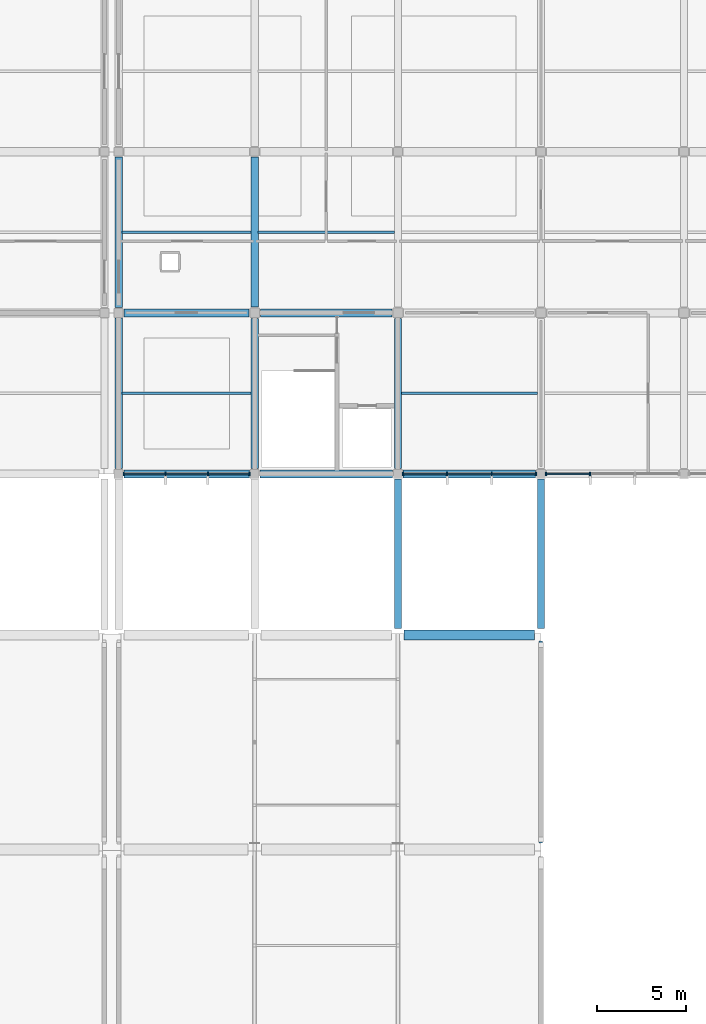
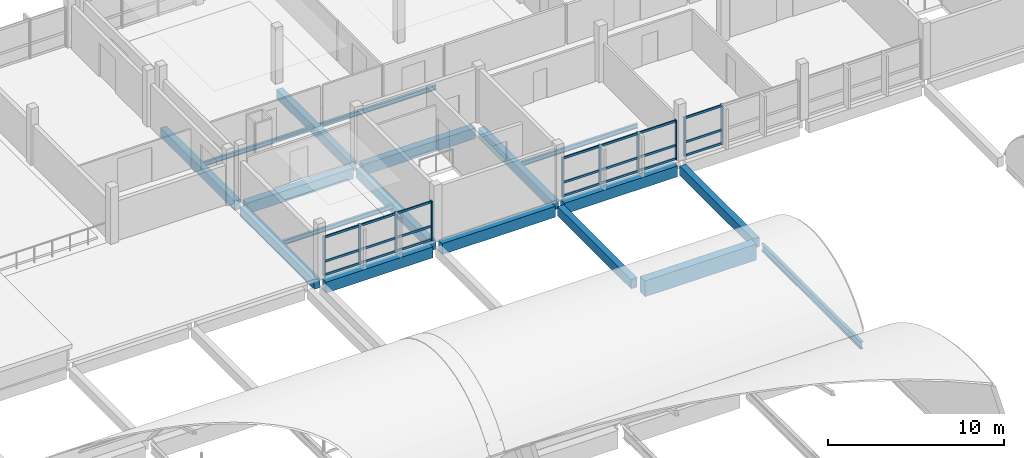
# One storey, part 20 of 57: 31 members, 18 beams, 3 elements without a shape of their own.
"""IFC4 building model written with IfcOpenShell, lengths in metres."""

from ifc_helpers import new_model, si_unit, direction, frame, origin, origin_2d, place, context, subcontext, project, spatial, rectangle, i_section, extrude, material, material_profile, profile_set, type_object, element, aggregate, save


model = new_model("IFC4")

# Units and contexts
model_context = context("Model", 3, precision=1e-05, world=origin(), true_north=direction((0.0, 1.0)))
body_context = subcontext(model_context, "Body", "Model", "MODEL_VIEW")
ifc_project = project(units=[si_unit("LENGTHUNIT", "METRE"), si_unit("AREAUNIT", "SQUARE_METRE"), si_unit("VOLUMEUNIT", "CUBIC_METRE"), si_unit("PLANEANGLEUNIT", "RADIAN"), si_unit("MASSUNIT", "GRAM", prefix="KILO"), si_unit("THERMODYNAMICTEMPERATUREUNIT", "KELVIN"), si_unit("POWERUNIT", "WATT")], contexts=[model_context])

# Site, building, storey
site_placement = place(None, origin())
site = spatial("IfcSite", under=ifc_project, at=site_placement, CompositionType="ELEMENT")
building_placement = place(site_placement, origin())
building = spatial("IfcBuilding", under=site, at=building_placement, Name="Kronsvod Quay Wholesale Market", CompositionType="ELEMENT")
storey_placement = place(building_placement, frame((0.0, 0.0, 13.199951171875)))
storey = spatial("IfcBuildingStorey", under=building, at=storey_placement, Name="L03", CompositionType="ELEMENT", Elevation=13.199951171875)

# Beams
ifc_material_1 = material(Name="Precast concrete C40/50", Category="concrete")
ifc_material_profile_1 = material_profile(ifc_material_1, rectangle(XDim=0.39990234375, YDim=0.64990234375, at=origin_2d()), Name="PCB400x650")
ifc_profile_set_1 = profile_set([ifc_material_profile_1], Name="Precast concrete C40/50")
beam_type_1 = type_object("IfcBeamType", Name="Beam_PCB400x650", PredefinedType="BEAM", material=ifc_profile_set_1)
for number, where, z_axis, x_axis, name in (
    (1, (64.39990234375, 99.300048828125, -0.635009765625), (0.0, 1.0, 0.0), (-1.0, 0.0, 0.0), "BMY-L03-644-990"),
    (2, (64.39990234375, 108.300048828125, -0.635009765625), (0.0, 1.0, 0.0), (-1.0, 0.0, 0.0), "BMY-L03-644-1080"),
):
    element("IfcBeam", number, at=place(storey_placement, frame(where, z_axis=z_axis, x_axis=x_axis)), inside=storey, type_object=beam_type_1, Name=name, PredefinedType="BEAM", context=body_context, shape_type="SweptSolid", body=[
        extrude(rectangle(XDim=0.39990234375, YDim=0.64990234375, at=origin_2d()), origin(), (0.0, 0.0, 1.0), 8.39990234375),
    ])
for number, where, z_axis, x_axis, name in (
    (3, (72.0, 99.300048828125, -0.635009765625), (0.0, 1.0, 0.0), (-1.0, 0.0, 0.0), "BMY-L03-720-990"),
    (4, (72.0, 108.324951171875, -0.635009765625), (0.0, 1.0, 0.0), (-1.0, 0.0, 0.0), "BMY-L03-720-1080"),
):
    element("IfcBeam", number, at=place(storey_placement, frame(where, z_axis=z_axis, x_axis=x_axis)), inside=storey, type_object=beam_type_1, Name=name, PredefinedType="BEAM", context=body_context, shape_type="SweptSolid", body=[
        extrude(rectangle(XDim=0.39990234375, YDim=0.64990234375, at=origin_2d()), origin(), (0.0, 0.0, 1.0), 8.375),
    ])
beam_1_placement = place(storey_placement, frame((80.0, 90.35009765625, -0.635009765625), z_axis=(0.0, 1.0, 0.0), x_axis=(-1.0, 0.0, 0.0)))
element("IfcBeam", 5, at=beam_1_placement, inside=storey, type_object=beam_type_1, Name="BMY-L03-800-900", PredefinedType="BEAM", context=body_context, shape_type="SweptSolid", body=[
    extrude(rectangle(XDim=0.39990234375, YDim=0.64990234375, at=origin_2d()), origin(), (0.0, 0.0, 1.0), 8.349853515625),
])
beam_2_placement = place(storey_placement, frame((80.0, 99.300048828125, -0.635009765625), z_axis=(0.0, 1.0, 0.0), x_axis=(-1.0, 0.0, 0.0)))
element("IfcBeam", 6, at=beam_2_placement, inside=storey, type_object=beam_type_1, Name="BMY-L03-800-990", PredefinedType="BEAM", context=body_context, shape_type="SweptSolid", body=[
    extrude(rectangle(XDim=0.39990234375, YDim=0.64990234375, at=origin_2d()), origin(), (0.0, 0.0, 1.0), 8.375),
])
beam_3_placement = place(storey_placement, frame((88.0, 90.35009765625, -0.635009765625), z_axis=(0.0, 1.0, 0.0), x_axis=(-1.0, 0.0, 0.0)))
element("IfcBeam", 7, at=beam_3_placement, inside=storey, type_object=beam_type_1, Name="BMY-L03-880-900", PredefinedType="BEAM", context=body_context, shape_type="SweptSolid", body=[
    extrude(rectangle(XDim=0.39990234375, YDim=0.64990234375, at=origin_2d()), origin(), (0.0, 0.0, 1.0), 8.349853515625),
])
ifc_material_2 = material(Name="Precast concrete C40/50", Category="concrete")
ifc_material_profile_2 = material_profile(ifc_material_2, rectangle(XDim=0.449951171875, YDim=0.75, at=origin_2d()), Name="PCB450x750")
ifc_profile_set_2 = profile_set([ifc_material_profile_2], Name="Precast concrete C40/50")
beam_type_2 = type_object("IfcBeamType", Name="Beam_PCB450x750", PredefinedType="BEAM", material=ifc_profile_set_2)
beam_4_placement = place(storey_placement, frame((64.699951171875, 99.0, -0.68505859375), z_axis=(1.0, 0.0, 0.0), x_axis=(0.0, 1.0, 0.0)))
element("IfcBeam", 8, at=beam_4_placement, inside=storey, type_object=beam_type_2, Name="BMX-L03-644-990", PredefinedType="BEAM", context=body_context, shape_type="SweptSolid", body=[
    extrude(rectangle(XDim=0.449951171875, YDim=0.75, at=origin_2d()), origin(), (0.0, 0.0, 1.0), 7.0),
])
for number, where, z_axis, x_axis, name in (
    (9, (72.300048828125, 99.0, -0.68505859375), (1.0, 0.0, 0.0), (0.0, 1.0, 0.0), "BMX-L03-720-990"),
    (10, (80.300048828125, 99.0, -0.68505859375), (1.0, 0.0, 0.0), (0.0, 1.0, 0.0), "BMX-L03-800-990"),
):
    element("IfcBeam", number, at=place(storey_placement, frame(where, z_axis=z_axis, x_axis=x_axis)), inside=storey, type_object=beam_type_2, Name=name, PredefinedType="BEAM", context=body_context, shape_type="SweptSolid", body=[
        extrude(rectangle(XDim=0.449951171875, YDim=0.75, at=origin_2d()), origin(), (0.0, 0.0, 1.0), 7.39990234375),
    ])
beam_5_placement = place(storey_placement, frame((64.699951171875, 108.0, -0.68505859375), z_axis=(1.0, 0.0, 0.0), x_axis=(0.0, 1.0, 0.0)))
element("IfcBeam", 11, at=beam_5_placement, inside=storey, type_object=beam_type_2, Name="BMX-L03-644-1080", PredefinedType="BEAM", context=body_context, shape_type="SweptSolid", body=[
    extrude(rectangle(XDim=0.449951171875, YDim=0.75, at=origin_2d()), origin(), (0.0, 0.0, 1.0), 6.97509765625),
])
beam_6_placement = place(storey_placement, frame((72.324951171875, 108.0, -0.68505859375), z_axis=(1.0, 0.0, 0.0), x_axis=(0.0, 1.0, 0.0)))
element("IfcBeam", 12, at=beam_6_placement, inside=storey, type_object=beam_type_2, Name="BMX-L03-720-1080", PredefinedType="BEAM", context=body_context, shape_type="SweptSolid", body=[
    extrude(rectangle(XDim=0.449951171875, YDim=0.75, at=origin_2d()), origin(), (0.0, 0.0, 1.0), 7.35009765625),
])
ifc_material_3 = material(Name="Precast concrete C40/50", Category="concrete")
ifc_material_profile_3 = material_profile(ifc_material_3, rectangle(XDim=0.550048828125, YDim=1.10009765625, at=origin_2d()), Name="PCVG550x1100")
ifc_profile_set_3 = profile_set([ifc_material_profile_3], Name="Precast concrete C40/50")
beam_type_3 = type_object("IfcBeamType", Name="Girder_PCVG550x1100", PredefinedType="T_BEAM", material=ifc_profile_set_3)
beam_7_placement = place(storey_placement, frame((80.35009765625, 90.0, -0.77001953125), z_axis=(1.0, 0.0, 0.0), x_axis=(0.0, 1.0, 0.0)))
element("IfcBeam", 13, at=beam_7_placement, inside=storey, type_object=beam_type_3, Name="BMX-L03-800-900", PredefinedType="T_BEAM", context=body_context, shape_type="SweptSolid", body=[
    extrude(rectangle(XDim=0.550048828125, YDim=1.10009765625, at=origin_2d()), origin(), (0.0, 0.0, 1.0), 7.2998046875),
])
ifc_material_4 = material(Name="Steel S355", Category="steel")
ifc_material_profile_4 = material_profile(ifc_material_4, i_section(OverallWidth=0.198974609375, OverallDepth=0.49609375, WebThickness=0.009033203125, FlangeThickness=0.013916015625, FilletRadius=0.02001953125, at=origin_2d()), Name="50B1")
ifc_profile_set_4 = profile_set([ifc_material_profile_4], Name="Steel S355")
beam_type_4 = type_object("IfcBeamType", Name="Girder_Steel50B1", PredefinedType="T_BEAM", material=ifc_profile_set_4)
beam_8_placement = place(storey_placement, frame((88.0, 78.375, -0.468017578125), z_axis=(0.0, 1.0, 0.0), x_axis=(-1.0, 0.0, 0.0)))
element("IfcBeam", 14, at=beam_8_placement, inside=storey, type_object=beam_type_4, Name="BMY-L03-880-780", PredefinedType="T_BEAM", context=body_context, shape_type="SweptSolid", body=[
    extrude(i_section(OverallWidth=0.198974609375, OverallDepth=0.49609375, WebThickness=0.009033203125, FlangeThickness=0.013916015625, FilletRadius=0.02001953125, at=origin_2d()), origin(), (0.0, 0.0, 1.0), 11.27490234375),
])
ifc_material_5 = material(Name="Steel S355", Category="steel")
ifc_material_profile_5 = material_profile(ifc_material_5, i_section(OverallWidth=0.14990234375, OverallDepth=0.300048828125, WebThickness=0.006591796875, FlangeThickness=0.009033203125, FilletRadius=0.012939453125, at=origin_2d()), Name="30B2")
ifc_profile_set_5 = profile_set([ifc_material_profile_5], Name="Steel S355")
beam_type_5 = type_object("IfcBeamType", Name="Joist_Steel30B2", PredefinedType="JOIST", material=ifc_profile_set_5)
for number, where, z_axis, x_axis, name in (
    (15, (64.594970703125, 103.5, -0.39990234375), (1.0, 0.0, 0.0), (0.0, 1.0, 0.0), "JSTX-L03-644-990"),
    (16, (64.594970703125, 112.5, -0.39990234375), (1.0, 0.0, 0.0), (0.0, 1.0, 0.0), "JSTX-L03-644-1080"),
):
    element("IfcBeam", number, at=place(storey_placement, frame(where, z_axis=z_axis, x_axis=x_axis)), inside=storey, type_object=beam_type_5, Name=name, PredefinedType="JOIST", context=body_context, shape_type="SweptSolid", body=[
        extrude(i_section(OverallWidth=0.14990234375, OverallDepth=0.300048828125, WebThickness=0.006591796875, FlangeThickness=0.009033203125, FilletRadius=0.012939453125, at=origin_2d()), origin(), (0.0, 0.0, 1.0), 7.2099609375),
    ])
for number, where, z_axis, x_axis, name in (
    (17, (72.195068359375, 112.5, -0.39990234375), (1.0, 0.0, 0.0), (0.0, 1.0, 0.0), "JSTX-L03-720-1080"),
    (18, (80.195068359375, 103.5, -0.39990234375), (1.0, 0.0, 0.0), (0.0, 1.0, 0.0), "JSTX-L03-800-990"),
):
    element("IfcBeam", number, at=place(storey_placement, frame(where, z_axis=z_axis, x_axis=x_axis)), inside=storey, type_object=beam_type_5, Name=name, PredefinedType="JOIST", context=body_context, shape_type="SweptSolid", body=[
        extrude(i_section(OverallWidth=0.14990234375, OverallDepth=0.300048828125, WebThickness=0.006591796875, FlangeThickness=0.009033203125, FilletRadius=0.012939453125, at=origin_2d()), origin(), (0.0, 0.0, 1.0), 7.60986328125),
    ])

# Curtain wall, members
ifc_material_6 = material(Name="Thermally broken aluminium and triple low-E glazing", Category="aluminium")
curtain_wall_type = type_object("IfcCurtainWallType", Name="CW_Harbour80x30", PredefinedType="NOTDEFINED", material=ifc_material_6)
curtain_wall_1_placement = place(storey_placement, origin())
curtain_wall_1 = element("IfcCurtainWall", 19, at=curtain_wall_1_placement, inside=storey, type_object=curtain_wall_type, Name="CWGX-L03-644-990", PredefinedType="NOTDEFINED")
ifc_material_7 = material(Name="Anodised aluminium", Category="aluminium")
ifc_material_profile_6 = material_profile(ifc_material_7, rectangle(XDim=0.074951171875, YDim=0.199951171875, at=origin_2d()), Name="ALUM75x200")
ifc_profile_set_6 = profile_set([ifc_material_profile_6], Name="Anodised aluminium")
member_type_1 = type_object("IfcMemberType", Name="Mullion_ALU75x200", PredefinedType="MULLION", material=ifc_profile_set_6)
member_1_placement = place(storey_placement, frame((64.6826171875, 99.0, 0.0), z_axis=(0.0, 0.0, 1.0), x_axis=(1.0, 0.0, 0.0)))
member_1 = element("IfcMember", 20, at=member_1_placement, type_object=member_type_1, Name="CWGX-L03-644-990-M1", PredefinedType="MULLION", context=body_context, shape_type="SweptSolid", body=[
    extrude(rectangle(XDim=0.074951171875, YDim=0.199951171875, at=origin_2d()), origin(), (0.0, 0.0, 1.0), 2.75),
])
member_2_placement = place(storey_placement, frame((67.014892578125, 99.0, 0.0), z_axis=(0.0, 0.0, 1.0), x_axis=(1.0, 0.0, 0.0)))
member_2 = element("IfcMember", 21, at=member_2_placement, type_object=member_type_1, Name="CWGX-L03-644-990-M2", PredefinedType="MULLION", context=body_context, shape_type="SweptSolid", body=[
    extrude(rectangle(XDim=0.074951171875, YDim=0.199951171875, at=origin_2d()), origin(), (0.0, 0.0, 1.0), 2.75),
])
member_3_placement = place(storey_placement, frame((69.385009765625, 99.0, 0.0), z_axis=(0.0, 0.0, 1.0), x_axis=(1.0, 0.0, 0.0)))
member_3 = element("IfcMember", 22, at=member_3_placement, type_object=member_type_1, Name="CWGX-L03-644-990-M3", PredefinedType="MULLION", context=body_context, shape_type="SweptSolid", body=[
    extrude(rectangle(XDim=0.074951171875, YDim=0.199951171875, at=origin_2d()), origin(), (0.0, 0.0, 1.0), 2.75),
])
member_4_placement = place(storey_placement, frame((71.717529296875, 99.0, 0.0), z_axis=(0.0, 0.0, 1.0), x_axis=(1.0, 0.0, 0.0)))
member_4 = element("IfcMember", 23, at=member_4_placement, type_object=member_type_1, Name="CWGX-L03-644-990-M4", PredefinedType="MULLION", context=body_context, shape_type="SweptSolid", body=[
    extrude(rectangle(XDim=0.074951171875, YDim=0.199951171875, at=origin_2d()), origin(), (0.0, 0.0, 1.0), 2.75),
])

curtain_wall_2_placement = place(storey_placement, origin())
curtain_wall_2 = element("IfcCurtainWall", 24, at=curtain_wall_2_placement, inside=storey, type_object=curtain_wall_type, Name="CWGX-L03-800-990", PredefinedType="NOTDEFINED")
member_5_placement = place(storey_placement, frame((80.282470703125, 99.0, 0.0), z_axis=(0.0, 0.0, 1.0), x_axis=(1.0, 0.0, 0.0)))
member_5 = element("IfcMember", 25, at=member_5_placement, type_object=member_type_1, Name="CWGX-L03-800-990-M1", PredefinedType="MULLION", context=body_context, shape_type="SweptSolid", body=[
    extrude(rectangle(XDim=0.074951171875, YDim=0.199951171875, at=origin_2d()), origin(), (0.0, 0.0, 1.0), 2.75),
])
member_6_placement = place(storey_placement, frame((82.748291015625, 99.0, 0.0), z_axis=(0.0, 0.0, 1.0), x_axis=(1.0, 0.0, 0.0)))
member_6 = element("IfcMember", 26, at=member_6_placement, type_object=member_type_1, Name="CWGX-L03-800-990-M2", PredefinedType="MULLION", context=body_context, shape_type="SweptSolid", body=[
    extrude(rectangle(XDim=0.074951171875, YDim=0.199951171875, at=origin_2d()), origin(), (0.0, 0.0, 1.0), 2.75),
])
member_7_placement = place(storey_placement, frame((85.251708984375, 99.0, 0.0), z_axis=(0.0, 0.0, 1.0), x_axis=(1.0, 0.0, 0.0)))
member_7 = element("IfcMember", 27, at=member_7_placement, type_object=member_type_1, Name="CWGX-L03-800-990-M3", PredefinedType="MULLION", context=body_context, shape_type="SweptSolid", body=[
    extrude(rectangle(XDim=0.074951171875, YDim=0.199951171875, at=origin_2d()), origin(), (0.0, 0.0, 1.0), 2.75),
])
member_8_placement = place(storey_placement, frame((87.717529296875, 99.0, 0.0), z_axis=(0.0, 0.0, 1.0), x_axis=(1.0, 0.0, 0.0)))
member_8 = element("IfcMember", 28, at=member_8_placement, type_object=member_type_1, Name="CWGX-L03-800-990-M4", PredefinedType="MULLION", context=body_context, shape_type="SweptSolid", body=[
    extrude(rectangle(XDim=0.074951171875, YDim=0.199951171875, at=origin_2d()), origin(), (0.0, 0.0, 1.0), 2.75),
])

curtain_wall_3_placement = place(storey_placement, origin())
curtain_wall_3 = element("IfcCurtainWall", 29, at=curtain_wall_3_placement, inside=storey, type_object=curtain_wall_type, Name="CWGX-L03-880-990", PredefinedType="NOTDEFINED")
member_9_placement = place(storey_placement, frame((88.282470703125, 99.0, 0.0), z_axis=(0.0, 0.0, 1.0), x_axis=(1.0, 0.0, 0.0)))
member_9 = element("IfcMember", 30, at=member_9_placement, type_object=member_type_1, Name="CWGX-L03-880-990-M1", PredefinedType="MULLION", context=body_context, shape_type="SweptSolid", body=[
    extrude(rectangle(XDim=0.074951171875, YDim=0.199951171875, at=origin_2d()), origin(), (0.0, 0.0, 1.0), 2.75),
])
member_10_placement = place(storey_placement, frame((90.748291015625, 99.0, 0.0), z_axis=(0.0, 0.0, 1.0), x_axis=(1.0, 0.0, 0.0)))
member_10 = element("IfcMember", 31, at=member_10_placement, type_object=member_type_1, Name="CWGX-L03-880-990-M2", PredefinedType="MULLION", context=body_context, shape_type="SweptSolid", body=[
    extrude(rectangle(XDim=0.074951171875, YDim=0.199951171875, at=origin_2d()), origin(), (0.0, 0.0, 1.0), 2.75),
])

# Member
ifc_material_8 = material(Name="Anodised aluminium", Category="aluminium")
ifc_material_profile_7 = material_profile(ifc_material_8, rectangle(XDim=0.074951171875, YDim=0.14990234375, at=origin_2d()), Name="ALUT75x150")
ifc_profile_set_7 = profile_set([ifc_material_profile_7], Name="Anodised aluminium")
member_type_2 = type_object("IfcMemberType", Name="Transom_ALU75x150", PredefinedType="USERDEFINED", material=ifc_profile_set_7)
member_11_placement = place(storey_placement, frame((64.719970703125, 99.0, 0.074951171875), z_axis=(1.0, 0.0, 0.0), x_axis=(0.0, 1.0, 0.0)))
member_11 = element("IfcMember", 32, at=member_11_placement, type_object=member_type_2, Name="CWGX-L03-644-990-T1B1", ObjectType="TRANSOM", PredefinedType="USERDEFINED", context=body_context, shape_type="SweptSolid", body=[
    extrude(rectangle(XDim=0.074951171875, YDim=0.14990234375, at=origin_2d()), origin(), (0.0, 0.0, 1.0), 2.257568359375),
])

member_12_placement = place(storey_placement, frame((67.052490234375, 99.0, 0.074951171875), z_axis=(1.0, 0.0, 0.0), x_axis=(0.0, 1.0, 0.0)))
member_12 = element("IfcMember", 33, at=member_12_placement, type_object=member_type_2, Name="CWGX-L03-644-990-T1B2", ObjectType="TRANSOM", PredefinedType="USERDEFINED", context=body_context, shape_type="SweptSolid", body=[
    extrude(rectangle(XDim=0.074951171875, YDim=0.14990234375, at=origin_2d()), origin(), (0.0, 0.0, 1.0), 2.294921875),
])

member_13_placement = place(storey_placement, frame((69.422607421875, 99.0, 0.074951171875), z_axis=(1.0, 0.0, 0.0), x_axis=(0.0, 1.0, 0.0)))
member_13 = element("IfcMember", 34, at=member_13_placement, type_object=member_type_2, Name="CWGX-L03-644-990-T1B3", ObjectType="TRANSOM", PredefinedType="USERDEFINED", context=body_context, shape_type="SweptSolid", body=[
    extrude(rectangle(XDim=0.074951171875, YDim=0.14990234375, at=origin_2d()), origin(), (0.0, 0.0, 1.0), 2.25732421875),
])

member_14_placement = place(storey_placement, frame((64.719970703125, 99.0, 1.0), z_axis=(1.0, 0.0, 0.0), x_axis=(0.0, 1.0, 0.0)))
member_14 = element("IfcMember", 35, at=member_14_placement, type_object=member_type_2, Name="CWGX-L03-644-990-T2B1", ObjectType="TRANSOM", PredefinedType="USERDEFINED", context=body_context, shape_type="SweptSolid", body=[
    extrude(rectangle(XDim=0.074951171875, YDim=0.14990234375, at=origin_2d()), origin(), (0.0, 0.0, 1.0), 2.257568359375),
])

member_15_placement = place(storey_placement, frame((67.052490234375, 99.0, 1.0), z_axis=(1.0, 0.0, 0.0), x_axis=(0.0, 1.0, 0.0)))
member_15 = element("IfcMember", 36, at=member_15_placement, type_object=member_type_2, Name="CWGX-L03-644-990-T2B2", ObjectType="TRANSOM", PredefinedType="USERDEFINED", context=body_context, shape_type="SweptSolid", body=[
    extrude(rectangle(XDim=0.074951171875, YDim=0.14990234375, at=origin_2d()), origin(), (0.0, 0.0, 1.0), 2.294921875),
])

member_16_placement = place(storey_placement, frame((69.422607421875, 99.0, 1.0), z_axis=(1.0, 0.0, 0.0), x_axis=(0.0, 1.0, 0.0)))
member_16 = element("IfcMember", 37, at=member_16_placement, type_object=member_type_2, Name="CWGX-L03-644-990-T2B3", ObjectType="TRANSOM", PredefinedType="USERDEFINED", context=body_context, shape_type="SweptSolid", body=[
    extrude(rectangle(XDim=0.074951171875, YDim=0.14990234375, at=origin_2d()), origin(), (0.0, 0.0, 1.0), 2.25732421875),
])

member_17_placement = place(storey_placement, frame((64.719970703125, 99.0, 2.675048828125), z_axis=(1.0, 0.0, 0.0), x_axis=(0.0, 1.0, 0.0)))
member_17 = element("IfcMember", 38, at=member_17_placement, type_object=member_type_2, Name="CWGX-L03-644-990-T3B1", ObjectType="TRANSOM", PredefinedType="USERDEFINED", context=body_context, shape_type="SweptSolid", body=[
    extrude(rectangle(XDim=0.074951171875, YDim=0.14990234375, at=origin_2d()), origin(), (0.0, 0.0, 1.0), 2.257568359375),
])

member_18_placement = place(storey_placement, frame((67.052490234375, 99.0, 2.675048828125), z_axis=(1.0, 0.0, 0.0), x_axis=(0.0, 1.0, 0.0)))
member_18 = element("IfcMember", 39, at=member_18_placement, type_object=member_type_2, Name="CWGX-L03-644-990-T3B2", ObjectType="TRANSOM", PredefinedType="USERDEFINED", context=body_context, shape_type="SweptSolid", body=[
    extrude(rectangle(XDim=0.074951171875, YDim=0.14990234375, at=origin_2d()), origin(), (0.0, 0.0, 1.0), 2.294921875),
])

member_19_placement = place(storey_placement, frame((69.422607421875, 99.0, 2.675048828125), z_axis=(1.0, 0.0, 0.0), x_axis=(0.0, 1.0, 0.0)))
member_19 = element("IfcMember", 40, at=member_19_placement, type_object=member_type_2, Name="CWGX-L03-644-990-T3B3", ObjectType="TRANSOM", PredefinedType="USERDEFINED", context=body_context, shape_type="SweptSolid", body=[
    extrude(rectangle(XDim=0.074951171875, YDim=0.14990234375, at=origin_2d()), origin(), (0.0, 0.0, 1.0), 2.25732421875),
])

aggregate(curtain_wall_1, [member_1, member_2, member_3, member_4, member_11, member_12, member_13, member_14, member_15, member_16, member_17, member_18, member_19])

member_20_placement = place(storey_placement, frame((80.320068359375, 99.0, 0.074951171875), z_axis=(1.0, 0.0, 0.0), x_axis=(0.0, 1.0, 0.0)))
member_20 = element("IfcMember", 41, at=member_20_placement, type_object=member_type_2, Name="CWGX-L03-800-990-T1B1", ObjectType="TRANSOM", PredefinedType="USERDEFINED", context=body_context, shape_type="SweptSolid", body=[
    extrude(rectangle(XDim=0.074951171875, YDim=0.14990234375, at=origin_2d()), origin(), (0.0, 0.0, 1.0), 2.390869140625),
])

member_21_placement = place(storey_placement, frame((82.785888671875, 99.0, 0.074951171875), z_axis=(1.0, 0.0, 0.0), x_axis=(0.0, 1.0, 0.0)))
member_21 = element("IfcMember", 42, at=member_21_placement, type_object=member_type_2, Name="CWGX-L03-800-990-T1B2", ObjectType="TRANSOM", PredefinedType="USERDEFINED", context=body_context, shape_type="SweptSolid", body=[
    extrude(rectangle(XDim=0.074951171875, YDim=0.14990234375, at=origin_2d()), origin(), (0.0, 0.0, 1.0), 2.42822265625),
])

member_22_placement = place(storey_placement, frame((85.2890625, 99.0, 0.074951171875), z_axis=(1.0, 0.0, 0.0), x_axis=(0.0, 1.0, 0.0)))
member_22 = element("IfcMember", 43, at=member_22_placement, type_object=member_type_2, Name="CWGX-L03-800-990-T1B3", ObjectType="TRANSOM", PredefinedType="USERDEFINED", context=body_context, shape_type="SweptSolid", body=[
    extrude(rectangle(XDim=0.074951171875, YDim=0.14990234375, at=origin_2d()), origin(), (0.0, 0.0, 1.0), 2.390869140625),
])

member_23_placement = place(storey_placement, frame((80.320068359375, 99.0, 1.0), z_axis=(1.0, 0.0, 0.0), x_axis=(0.0, 1.0, 0.0)))
member_23 = element("IfcMember", 44, at=member_23_placement, type_object=member_type_2, Name="CWGX-L03-800-990-T2B1", ObjectType="TRANSOM", PredefinedType="USERDEFINED", context=body_context, shape_type="SweptSolid", body=[
    extrude(rectangle(XDim=0.074951171875, YDim=0.14990234375, at=origin_2d()), origin(), (0.0, 0.0, 1.0), 2.390869140625),
])

member_24_placement = place(storey_placement, frame((82.785888671875, 99.0, 1.0), z_axis=(1.0, 0.0, 0.0), x_axis=(0.0, 1.0, 0.0)))
member_24 = element("IfcMember", 45, at=member_24_placement, type_object=member_type_2, Name="CWGX-L03-800-990-T2B2", ObjectType="TRANSOM", PredefinedType="USERDEFINED", context=body_context, shape_type="SweptSolid", body=[
    extrude(rectangle(XDim=0.074951171875, YDim=0.14990234375, at=origin_2d()), origin(), (0.0, 0.0, 1.0), 2.42822265625),
])

member_25_placement = place(storey_placement, frame((85.2890625, 99.0, 1.0), z_axis=(1.0, 0.0, 0.0), x_axis=(0.0, 1.0, 0.0)))
member_25 = element("IfcMember", 46, at=member_25_placement, type_object=member_type_2, Name="CWGX-L03-800-990-T2B3", ObjectType="TRANSOM", PredefinedType="USERDEFINED", context=body_context, shape_type="SweptSolid", body=[
    extrude(rectangle(XDim=0.074951171875, YDim=0.14990234375, at=origin_2d()), origin(), (0.0, 0.0, 1.0), 2.390869140625),
])

member_26_placement = place(storey_placement, frame((80.320068359375, 99.0, 2.675048828125), z_axis=(1.0, 0.0, 0.0), x_axis=(0.0, 1.0, 0.0)))
member_26 = element("IfcMember", 47, at=member_26_placement, type_object=member_type_2, Name="CWGX-L03-800-990-T3B1", ObjectType="TRANSOM", PredefinedType="USERDEFINED", context=body_context, shape_type="SweptSolid", body=[
    extrude(rectangle(XDim=0.074951171875, YDim=0.14990234375, at=origin_2d()), origin(), (0.0, 0.0, 1.0), 2.390869140625),
])

member_27_placement = place(storey_placement, frame((82.785888671875, 99.0, 2.675048828125), z_axis=(1.0, 0.0, 0.0), x_axis=(0.0, 1.0, 0.0)))
member_27 = element("IfcMember", 48, at=member_27_placement, type_object=member_type_2, Name="CWGX-L03-800-990-T3B2", ObjectType="TRANSOM", PredefinedType="USERDEFINED", context=body_context, shape_type="SweptSolid", body=[
    extrude(rectangle(XDim=0.074951171875, YDim=0.14990234375, at=origin_2d()), origin(), (0.0, 0.0, 1.0), 2.42822265625),
])

member_28_placement = place(storey_placement, frame((85.2890625, 99.0, 2.675048828125), z_axis=(1.0, 0.0, 0.0), x_axis=(0.0, 1.0, 0.0)))
member_28 = element("IfcMember", 49, at=member_28_placement, type_object=member_type_2, Name="CWGX-L03-800-990-T3B3", ObjectType="TRANSOM", PredefinedType="USERDEFINED", context=body_context, shape_type="SweptSolid", body=[
    extrude(rectangle(XDim=0.074951171875, YDim=0.14990234375, at=origin_2d()), origin(), (0.0, 0.0, 1.0), 2.390869140625),
])

aggregate(curtain_wall_2, [member_5, member_6, member_7, member_8, member_20, member_21, member_22, member_23, member_24, member_25, member_26, member_27, member_28])

member_29_placement = place(storey_placement, frame((88.320068359375, 99.0, 0.074951171875), z_axis=(1.0, 0.0, 0.0), x_axis=(0.0, 1.0, 0.0)))
member_29 = element("IfcMember", 50, at=member_29_placement, type_object=member_type_2, Name="CWGX-L03-880-990-T1B1", ObjectType="TRANSOM", PredefinedType="USERDEFINED", context=body_context, shape_type="SweptSolid", body=[
    extrude(rectangle(XDim=0.074951171875, YDim=0.14990234375, at=origin_2d()), origin(), (0.0, 0.0, 1.0), 2.390869140625),
])

member_30_placement = place(storey_placement, frame((88.320068359375, 99.0, 1.0), z_axis=(1.0, 0.0, 0.0), x_axis=(0.0, 1.0, 0.0)))
member_30 = element("IfcMember", 51, at=member_30_placement, type_object=member_type_2, Name="CWGX-L03-880-990-T2B1", ObjectType="TRANSOM", PredefinedType="USERDEFINED", context=body_context, shape_type="SweptSolid", body=[
    extrude(rectangle(XDim=0.074951171875, YDim=0.14990234375, at=origin_2d()), origin(), (0.0, 0.0, 1.0), 2.390869140625),
])

member_31_placement = place(storey_placement, frame((88.320068359375, 99.0, 2.675048828125), z_axis=(1.0, 0.0, 0.0), x_axis=(0.0, 1.0, 0.0)))
member_31 = element("IfcMember", 52, at=member_31_placement, type_object=member_type_2, Name="CWGX-L03-880-990-T3B1", ObjectType="TRANSOM", PredefinedType="USERDEFINED", context=body_context, shape_type="SweptSolid", body=[
    extrude(rectangle(XDim=0.074951171875, YDim=0.14990234375, at=origin_2d()), origin(), (0.0, 0.0, 1.0), 2.390869140625),
])

aggregate(curtain_wall_3, [member_9, member_10, member_29, member_30, member_31])

save(model, "model.ifc")
